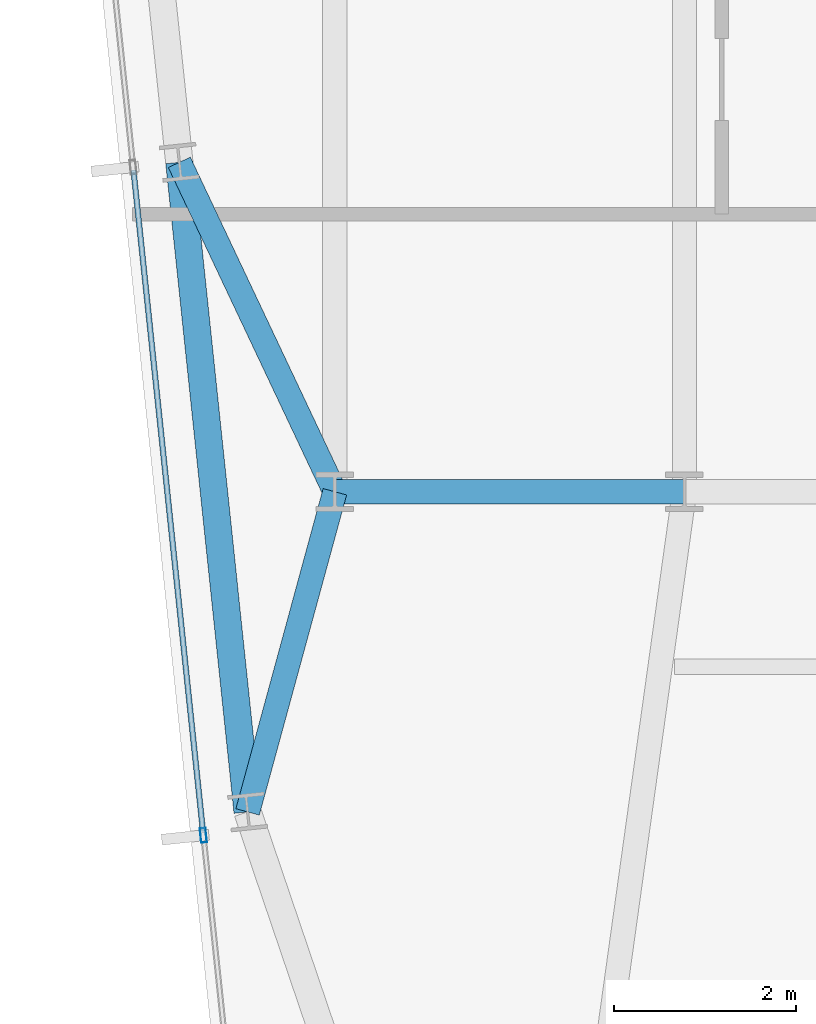
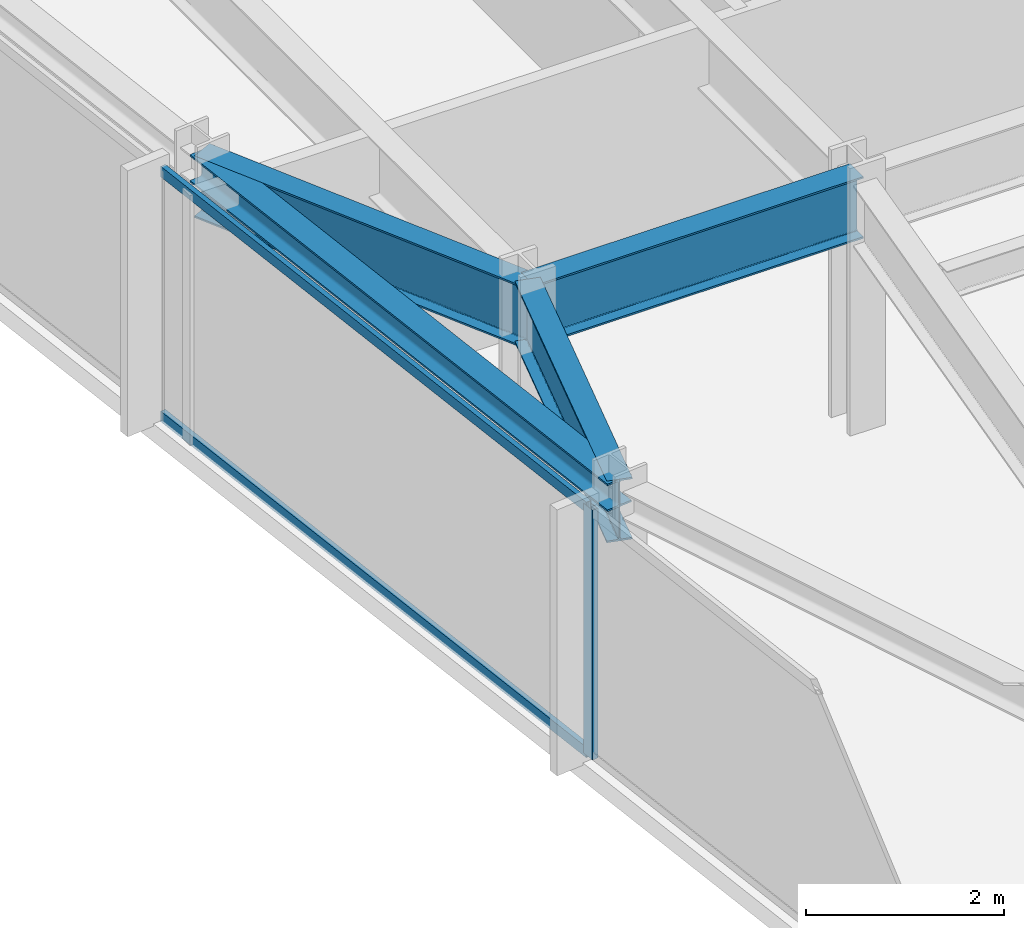
# One storey, part 5 of 32: 4 beams, 3 members, 1 element without a shape of its own.
"""IFC4 building model written with IfcOpenShell, lengths in metres."""

from ifc_helpers import new_model, si_unit, direction, frame, origin, origin_2d, place, context, subcontext, project, spatial, hollow_rectangle, i_section, extrude, material, material_profile, profile_set, type_object, element, aggregate, save


model = new_model("IFC4")

# Units and contexts
model_context = context("Model", 3, precision=1e-05, world=origin(), true_north=direction((0.0, 1.0)))
body_context = subcontext(model_context, "Body", "Model", "MODEL_VIEW")
ifc_project = project(units=[si_unit("LENGTHUNIT", "METRE"), si_unit("AREAUNIT", "SQUARE_METRE"), si_unit("VOLUMEUNIT", "CUBIC_METRE"), si_unit("PLANEANGLEUNIT", "RADIAN"), si_unit("MASSUNIT", "GRAM", prefix="KILO")], contexts=[model_context])

# Site, building, storey
site_placement = place(None, origin())
site = spatial("IfcSite", under=ifc_project, at=site_placement, CompositionType="ELEMENT")
building_placement = place(site_placement, origin())
building = spatial("IfcBuilding", under=site, at=building_placement, Name="Yelkora Congress Tower", CompositionType="ELEMENT")
storey_placement = place(building_placement, frame((0.0, 0.0, 207.800048828125)))
storey = spatial("IfcBuildingStorey", under=building, at=storey_placement, Name="L57", CompositionType="ELEMENT", Elevation=207.800048828125)

# Beams
ifc_material_1 = material(Name="Steel S355J2", Category="steel")
ifc_material_profile_1 = material_profile(ifc_material_1, i_section(OverallWidth=0.26708984375, OverallDepth=0.761962890625, WebThickness=0.014404296875, FlangeThickness=0.021484375, FilletRadius=0.01708984375, at=origin_2d()), Name="IPE 750x173")
ifc_profile_set_1 = profile_set([ifc_material_profile_1], Name="Steel S355J2")
beam_type_1 = type_object("IfcBeamType", Name="BM-GIRD-IPE750", PredefinedType="BEAM", material=ifc_profile_set_1)
beam_1_placement = place(storey_placement, frame((19.199951171875, 25.199951171875, 2.698974609375), z_axis=(1.0, 0.0, 0.0), x_axis=(0.0, 1.0, 0.0)))
element("IfcBeam", 1, at=beam_1_placement, inside=storey, type_object=beam_type_1, Name="L57 Spine Grid D Girder 1", PredefinedType="BEAM", context=body_context, shape_type="SweptSolid", body=[
    extrude(i_section(OverallWidth=0.26708984375, OverallDepth=0.761962890625, WebThickness=0.014404296875, FlangeThickness=0.021484375, FilletRadius=0.01708984375, at=origin_2d()), origin(), (0.0, 0.0, 1.0), 3.840087890625),
])
beam_2_placement = place(storey_placement, frame((18.2412109375, 21.68310546875, 2.698974609375), z_axis=(0.263015394472, 0.964791636713, 0.0), x_axis=(-0.964791636713, 0.263015394472, 0.0)))
element("IfcBeam", 2, at=beam_2_placement, inside=storey, type_object=beam_type_1, Name="L57 Primary Frame Girder W01", PredefinedType="BEAM", context=body_context, shape_type="SweptSolid", body=[
    extrude(i_section(OverallWidth=0.26708984375, OverallDepth=0.761962890625, WebThickness=0.014404296875, FlangeThickness=0.021484375, FilletRadius=0.01708984375, at=origin_2d()), origin(), (0.0, 0.0, 1.0), 3.645263671875),
])
beam_3_placement = place(storey_placement, frame((17.4912109375, 28.81884765625, 2.698974609375), z_axis=(0.426968894221, -0.904266312193, 0.0), x_axis=(0.904266312193, 0.426968894221, 0.0)))
element("IfcBeam", 3, at=beam_3_placement, inside=storey, type_object=beam_type_1, Name="L57 Primary Frame Girder W02", PredefinedType="BEAM", context=body_context, shape_type="SweptSolid", body=[
    extrude(i_section(OverallWidth=0.26708984375, OverallDepth=0.761962890625, WebThickness=0.014404296875, FlangeThickness=0.021484375, FilletRadius=0.01708984375, at=origin_2d()), origin(), (0.0, 0.0, 1.0), 4.001953125),
])
ifc_material_profile_2 = material_profile(ifc_material_1, i_section(OverallWidth=0.300048828125, OverallDepth=0.340087890625, WebThickness=0.011962890625, FlangeThickness=0.021484375, FilletRadius=0.027099609375, at=origin_2d()), Name="HEB 340")
ifc_profile_set_2 = profile_set([ifc_material_profile_2], Name="Steel S355J2")
beam_type_2 = type_object("IfcBeamType", Name="BM-SPAN-HEB340", PredefinedType="SPANDREL", material=ifc_profile_set_2)
beam_4_placement = place(storey_placement, frame((17.4912109375, 28.81884765625, 2.909912109375), z_axis=(0.104528914631, -0.994521847928, 0.0), x_axis=(0.994521847928, 0.104528914631, 0.0)))
element("IfcBeam", 4, at=beam_4_placement, inside=storey, type_object=beam_type_2, Name="L57 Perimeter Beam 1", PredefinedType="SPANDREL", context=body_context, shape_type="SweptSolid", body=[
    extrude(i_section(OverallWidth=0.300048828125, OverallDepth=0.340087890625, WebThickness=0.011962890625, FlangeThickness=0.021484375, FilletRadius=0.027099609375, at=origin_2d()), origin(), (0.0, 0.0, 1.0), 7.175048828125),
])

# Curtain wall, members
ifc_material_2 = material(Name="Anodised aluminium and insulated glass", Category="aluminium")
curtain_wall_type = type_object("IfcCurtainWallType", Name="CW-SYS-B4", PredefinedType="NOTDEFINED", material=ifc_material_2)
curtain_wall_placement = place(storey_placement, origin())
curtain_wall = element("IfcCurtainWall", 5, at=curtain_wall_placement, inside=storey, type_object=curtain_wall_type, Name="L57 Unitised Curtain Wall 5", PredefinedType="NOTDEFINED")
ifc_material_3 = material(Name="Anodised aluminium 6063-T6", Category="aluminium")
ifc_material_profile_3 = material_profile(ifc_material_3, hollow_rectangle(XDim=0.06494140625, YDim=0.159912109375, WallThickness=0.00390625, at=origin_2d()), Name="ALU 65x160x4")
ifc_profile_set_3 = profile_set([ifc_material_profile_3], Name="Anodised aluminium 6063-T6")
member_type_1 = type_object("IfcMemberType", Name="MEM-ML-B4", PredefinedType="MULLION", material=ifc_profile_set_3)
member_1_placement = place(storey_placement, frame((17.75537109375, 21.426025390625, 0.0), z_axis=(0.0, 0.0, 1.0), x_axis=(-0.994522145958, -0.104526079034, 0.0)))
member_1 = element("IfcMember", 6, at=member_1_placement, type_object=member_type_1, Name="CW-B4 mullion 2", PredefinedType="MULLION", context=body_context, shape_type="SweptSolid", body=[
    extrude(hollow_rectangle(XDim=0.06494140625, YDim=0.159912109375, WallThickness=0.00390625, at=origin_2d()), origin(), (0.0, 0.0, 1.0), 3.079833984375),
])
ifc_material_profile_4 = material_profile(ifc_material_3, hollow_rectangle(XDim=0.06005859375, YDim=0.1298828125, WallThickness=0.00390625, at=origin_2d()), Name="ALU 60x130x4")
ifc_profile_set_4 = profile_set([ifc_material_profile_4], Name="Anodised aluminium 6063-T6")
member_type_2 = type_object("IfcMemberType", Name="MEM-TR-B4", PredefinedType="USERDEFINED", material=ifc_profile_set_4)
member_2_placement = place(storey_placement, frame((17.751953125, 21.458251953125, 0.030029296875), z_axis=(-0.104528426736, 0.994521899208, 0.0), x_axis=(-0.994521899208, -0.104528426736, 0.0)))
member_2 = element("IfcMember", 7, at=member_2_placement, type_object=member_type_2, Name="CW-B4 transom 2.1", ObjectType="TRANSOM", PredefinedType="USERDEFINED", context=body_context, shape_type="SweptSolid", body=[
    extrude(hollow_rectangle(XDim=0.06005859375, YDim=0.1298828125, WallThickness=0.00390625, at=origin_2d()), origin(), (0.0, 0.0, 1.0), 7.315185546875),
])
member_3_placement = place(storey_placement, frame((17.751953125, 21.458251953125, 3.050048828125), z_axis=(-0.104528426736, 0.994521899208, 0.0), x_axis=(-0.994521899208, -0.104528426736, 0.0)))
member_3 = element("IfcMember", 8, at=member_3_placement, type_object=member_type_2, Name="CW-B4 transom 2.2", ObjectType="TRANSOM", PredefinedType="USERDEFINED", context=body_context, shape_type="SweptSolid", body=[
    extrude(hollow_rectangle(XDim=0.06005859375, YDim=0.1298828125, WallThickness=0.00390625, at=origin_2d()), origin(), (0.0, 0.0, 1.0), 7.315185546875),
])
aggregate(curtain_wall, [member_1, member_2, member_3])

save(model, "model.ifc")
